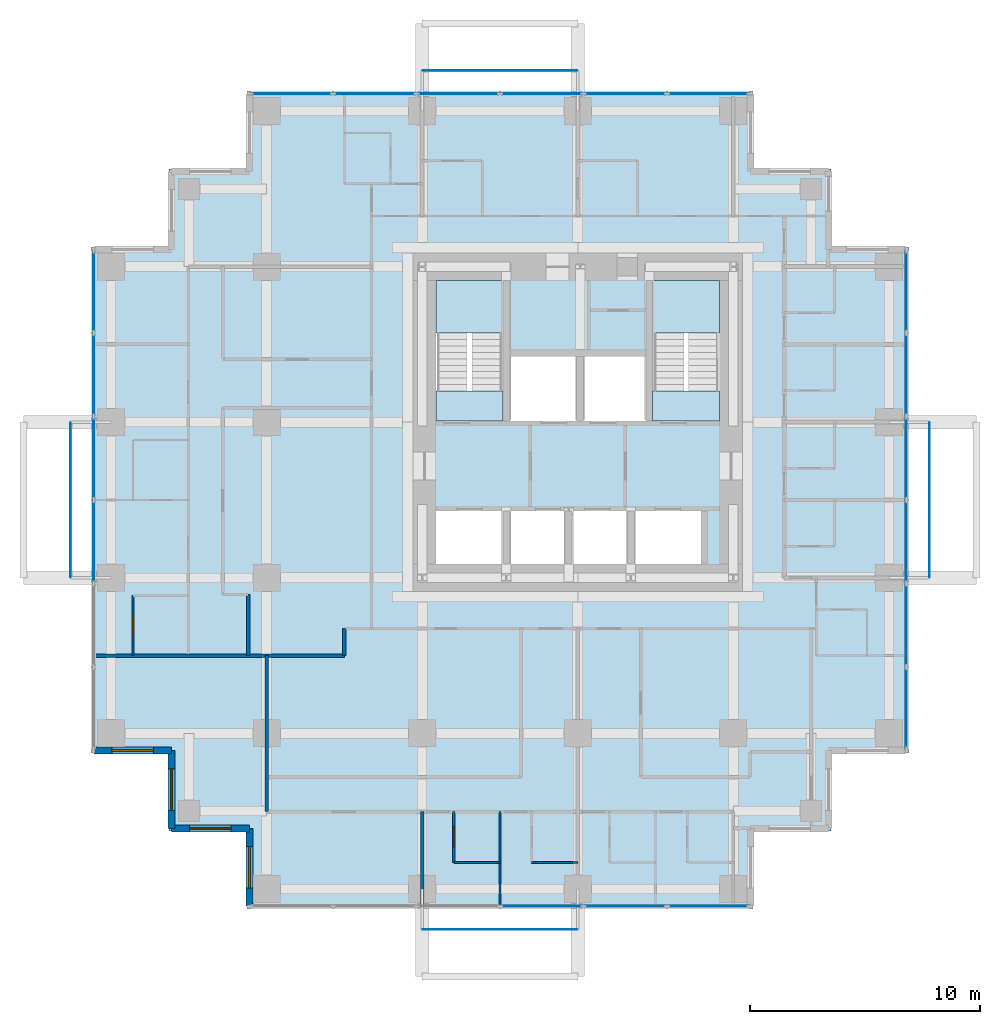
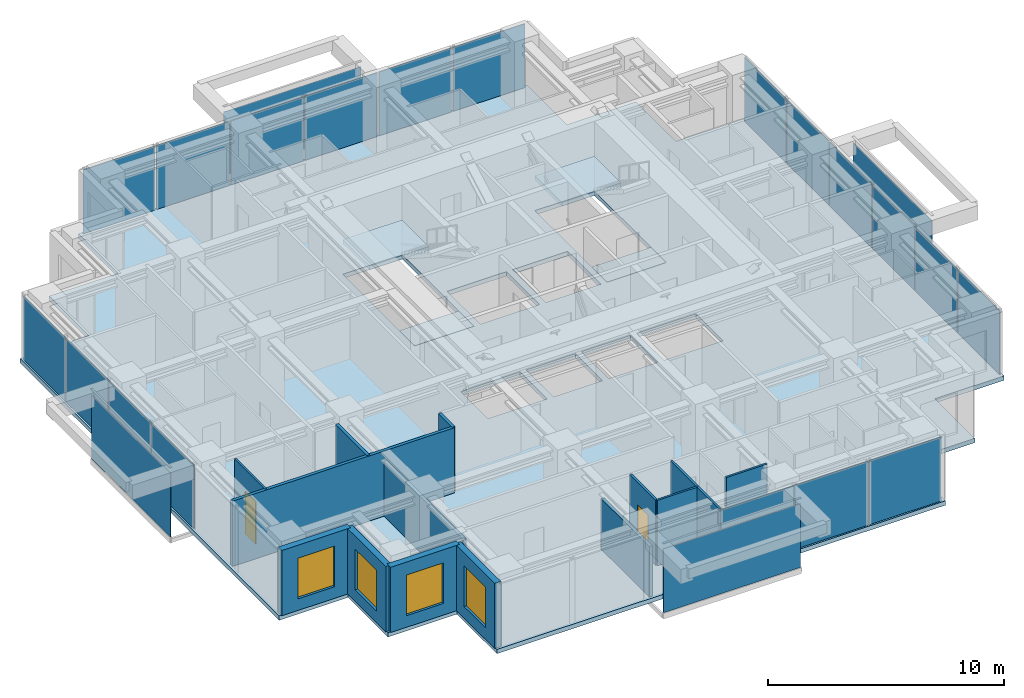
# One storey, part 5 of 10: 23 plates, 14 walls, 5 slabs, 4 windows, 2 doors, 6 openings, 6 elements without a shape of their own.
"""IFC4 building model written with IfcOpenShell, lengths in metres."""

from ifc_helpers import new_model, si_unit, direction, frame, frame_2d, origin, origin_2d, place, context, subcontext, project, spatial, polyline, rectangle, outline, extrude, material, layer, layer_set, type_object, element, fill, aggregate, save


model = new_model("IFC4")

# Units and contexts
model_context = context("Model", 3, precision=1e-05, world=origin(), true_north=direction((0.0, 1.0)))
body_context = subcontext(model_context, "Body", "Model", "MODEL_VIEW")
ifc_project = project(units=[si_unit("LENGTHUNIT", "METRE"), si_unit("AREAUNIT", "SQUARE_METRE"), si_unit("VOLUMEUNIT", "CUBIC_METRE"), si_unit("PLANEANGLEUNIT", "RADIAN"), si_unit("MASSUNIT", "GRAM", prefix="KILO")], contexts=[model_context])

# Site, building, storey
site_placement = place(None, origin())
site = spatial("IfcSite", under=ifc_project, at=site_placement, CompositionType="ELEMENT")
building_placement = place(site_placement, origin())
building = spatial("IfcBuilding", under=site, at=building_placement, Name="Nyansa Garden Tower", CompositionType="ELEMENT")
storey_placement = place(building_placement, frame((0.0, 0.0, 189.0)))
storey = spatial("IfcBuildingStorey", under=building, at=storey_placement, Name="L51", CompositionType="ELEMENT", Elevation=189.0)

# Curtain wall, plates
ifc_material_1 = material(Name="Black anodised aluminium, dark tinted double glazing", Category="aluminium")
curtain_wall_type = type_object("IfcCurtainWallType", Name="Inner skin curtain wall ISW-C", PredefinedType="USERDEFINED", material=ifc_material_1)
curtain_wall_1_placement = place(storey_placement, origin())
curtain_wall_1 = element("IfcCurtainWall", 1, at=curtain_wall_1_placement, inside=storey, type_object=curtain_wall_type, Name="Inner skin curtain wall L51 E", ObjectType="UNITISED CURTAIN WALL", PredefinedType="USERDEFINED")
ifc_material_2 = material(Name="Dark tinted laminated double glazing", Category="glass")
ifc_layer_1 = layer(ifc_material_2, 0.0400390625)
ifc_layer_set_1 = layer_set([ifc_layer_1], Name="Dark tinted vision panel VP-C")
plate_type_1 = type_object("IfcPlateType", Name="Dark tinted vision panel VP-C", PredefinedType="CURTAIN_PANEL", material=ifc_layer_set_1)
plate_1_placement = place(storey_placement, frame((34.5, 7.830078125, 0.0), z_axis=(0.0, 0.0, 1.0), x_axis=(0.0, 1.0, 0.0)))
plate_1 = element("IfcPlate", 2, at=plate_1_placement, type_object=plate_type_1, Name="ISW-C panel 1", PredefinedType="CURTAIN_PANEL", context=body_context, shape_type="SweptSolid", body=[
    extrude(rectangle(XDim=3.52001953125, YDim=0.0400390625, at=origin_2d()), origin(), (0.0, 0.0, 1.0), 3.304931640625),
])
plate_2_placement = place(storey_placement, frame((34.5, 11.4375, 0.0), z_axis=(0.0, 0.0, 1.0), x_axis=(0.0, 1.0, 0.0)))
plate_2 = element("IfcPlate", 3, at=plate_2_placement, type_object=plate_type_1, Name="ISW-C panel 2", PredefinedType="CURTAIN_PANEL", context=body_context, shape_type="SweptSolid", body=[
    extrude(rectangle(XDim=3.554931640625, YDim=0.0400390625, at=origin_2d()), origin(), (0.0, 0.0, 1.0), 3.304931640625),
])
plate_3_placement = place(storey_placement, frame((34.5, 15.0625, 0.0), z_axis=(0.0, 0.0, 1.0), x_axis=(0.0, 1.0, 0.0)))
plate_3 = element("IfcPlate", 4, at=plate_3_placement, type_object=plate_type_1, Name="ISW-C panel 3", PredefinedType="CURTAIN_PANEL", context=body_context, shape_type="SweptSolid", body=[
    extrude(rectangle(XDim=3.554931640625, YDim=0.0400390625, at=origin_2d()), origin(), (0.0, 0.0, 1.0), 3.304931640625),
])
plate_4_placement = place(storey_placement, frame((34.5, 18.6875, 0.0), z_axis=(0.0, 0.0, 1.0), x_axis=(0.0, 1.0, 0.0)))
plate_4 = element("IfcPlate", 5, at=plate_4_placement, type_object=plate_type_1, Name="ISW-C panel 4", PredefinedType="CURTAIN_PANEL", context=body_context, shape_type="SweptSolid", body=[
    extrude(rectangle(XDim=3.554931640625, YDim=0.0400390625, at=origin_2d()), origin(), (0.0, 0.0, 1.0), 3.304931640625),
])
plate_5_placement = place(storey_placement, frame((34.5, 22.3125, 0.0), z_axis=(0.0, 0.0, 1.0), x_axis=(0.0, 1.0, 0.0)))
plate_5 = element("IfcPlate", 6, at=plate_5_placement, type_object=plate_type_1, Name="ISW-C panel 5", PredefinedType="CURTAIN_PANEL", context=body_context, shape_type="SweptSolid", body=[
    extrude(rectangle(XDim=3.554931640625, YDim=0.0400390625, at=origin_2d()), origin(), (0.0, 0.0, 1.0), 3.304931640625),
])
plate_6_placement = place(storey_placement, frame((34.5, 25.919921875, 0.0), z_axis=(0.0, 0.0, 1.0), x_axis=(0.0, 1.0, 0.0)))
plate_6 = element("IfcPlate", 7, at=plate_6_placement, type_object=plate_type_1, Name="ISW-C panel 6", PredefinedType="CURTAIN_PANEL", context=body_context, shape_type="SweptSolid", body=[
    extrude(rectangle(XDim=3.52001953125, YDim=0.0400390625, at=origin_2d()), origin(), (0.0, 0.0, 1.0), 3.304931640625),
])
aggregate(curtain_wall_1, [plate_1, plate_2, plate_3, plate_4, plate_5, plate_6])

curtain_wall_2_placement = place(storey_placement, origin())
curtain_wall_2 = element("IfcCurtainWall", 8, at=curtain_wall_2_placement, inside=storey, type_object=curtain_wall_type, Name="Inner skin curtain wall L51 N", ObjectType="UNITISED CURTAIN WALL", PredefinedType="USERDEFINED")
plate_7_placement = place(storey_placement, frame((25.919921875, 34.5, 0.0), z_axis=(0.0, 0.0, 1.0), x_axis=(-1.0, 0.0, 0.0)))
plate_7 = element("IfcPlate", 9, at=plate_7_placement, type_object=plate_type_1, Name="ISW-C panel 1", PredefinedType="CURTAIN_PANEL", context=body_context, shape_type="SweptSolid", body=[
    extrude(rectangle(XDim=3.52001953125, YDim=0.0400390625, at=origin_2d()), origin(), (0.0, 0.0, 1.0), 3.304931640625),
])
plate_8_placement = place(storey_placement, frame((22.3125, 34.5, 0.0), z_axis=(0.0, 0.0, 1.0), x_axis=(-1.0, 0.0, 0.0)))
plate_8 = element("IfcPlate", 10, at=plate_8_placement, type_object=plate_type_1, Name="ISW-C panel 2", PredefinedType="CURTAIN_PANEL", context=body_context, shape_type="SweptSolid", body=[
    extrude(rectangle(XDim=3.554931640625, YDim=0.0400390625, at=origin_2d()), origin(), (0.0, 0.0, 1.0), 3.304931640625),
])
plate_9_placement = place(storey_placement, frame((18.6875, 34.5, 0.0), z_axis=(0.0, 0.0, 1.0), x_axis=(-1.0, 0.0, 0.0)))
plate_9 = element("IfcPlate", 11, at=plate_9_placement, type_object=plate_type_1, Name="ISW-C panel 3", PredefinedType="CURTAIN_PANEL", context=body_context, shape_type="SweptSolid", body=[
    extrude(rectangle(XDim=3.554931640625, YDim=0.0400390625, at=origin_2d()), origin(), (0.0, 0.0, 1.0), 3.304931640625),
])
plate_10_placement = place(storey_placement, frame((15.0625, 34.5, 0.0), z_axis=(0.0, 0.0, 1.0), x_axis=(-1.0, 0.0, 0.0)))
plate_10 = element("IfcPlate", 12, at=plate_10_placement, type_object=plate_type_1, Name="ISW-C panel 4", PredefinedType="CURTAIN_PANEL", context=body_context, shape_type="SweptSolid", body=[
    extrude(rectangle(XDim=3.554931640625, YDim=0.0400390625, at=origin_2d()), origin(), (0.0, 0.0, 1.0), 3.304931640625),
])
plate_11_placement = place(storey_placement, frame((11.4375, 34.5, 0.0), z_axis=(0.0, 0.0, 1.0), x_axis=(-1.0, 0.0, 0.0)))
plate_11 = element("IfcPlate", 13, at=plate_11_placement, type_object=plate_type_1, Name="ISW-C panel 5", PredefinedType="CURTAIN_PANEL", context=body_context, shape_type="SweptSolid", body=[
    extrude(rectangle(XDim=3.554931640625, YDim=0.0400390625, at=origin_2d()), origin(), (0.0, 0.0, 1.0), 3.304931640625),
])
plate_12_placement = place(storey_placement, frame((7.830078125, 34.5, 0.0), z_axis=(0.0, 0.0, 1.0), x_axis=(-1.0, 0.0, 0.0)))
plate_12 = element("IfcPlate", 14, at=plate_12_placement, type_object=plate_type_1, Name="ISW-C panel 6", PredefinedType="CURTAIN_PANEL", context=body_context, shape_type="SweptSolid", body=[
    extrude(rectangle(XDim=3.52001953125, YDim=0.0400390625, at=origin_2d()), origin(), (0.0, 0.0, 1.0), 3.304931640625),
])
aggregate(curtain_wall_2, [plate_7, plate_8, plate_9, plate_10, plate_11, plate_12])

curtain_wall_3_placement = place(storey_placement, origin())
curtain_wall_3 = element("IfcCurtainWall", 15, at=curtain_wall_3_placement, inside=storey, type_object=curtain_wall_type, Name="Inner skin curtain wall L51 W", ObjectType="UNITISED CURTAIN WALL", PredefinedType="USERDEFINED")
plate_13_placement = place(storey_placement, frame((-0.75, 25.919921875, 0.0), z_axis=(0.0, 0.0, 1.0), x_axis=(0.0, -1.0, 0.0)))
plate_13 = element("IfcPlate", 16, at=plate_13_placement, type_object=plate_type_1, Name="ISW-C panel 1", PredefinedType="CURTAIN_PANEL", context=body_context, shape_type="SweptSolid", body=[
    extrude(rectangle(XDim=3.52001953125, YDim=0.0400390625, at=origin_2d()), origin(), (0.0, 0.0, 1.0), 3.304931640625),
])
plate_14_placement = place(storey_placement, frame((-0.75, 22.3125, 0.0), z_axis=(0.0, 0.0, 1.0), x_axis=(0.0, -1.0, 0.0)))
plate_14 = element("IfcPlate", 17, at=plate_14_placement, type_object=plate_type_1, Name="ISW-C panel 2", PredefinedType="CURTAIN_PANEL", context=body_context, shape_type="SweptSolid", body=[
    extrude(rectangle(XDim=3.554931640625, YDim=0.0400390625, at=origin_2d()), origin(), (0.0, 0.0, 1.0), 3.304931640625),
])
plate_15_placement = place(storey_placement, frame((-0.75, 18.6875, 0.0), z_axis=(0.0, 0.0, 1.0), x_axis=(0.0, -1.0, 0.0)))
plate_15 = element("IfcPlate", 18, at=plate_15_placement, type_object=plate_type_1, Name="ISW-C panel 3", PredefinedType="CURTAIN_PANEL", context=body_context, shape_type="SweptSolid", body=[
    extrude(rectangle(XDim=3.554931640625, YDim=0.0400390625, at=origin_2d()), origin(), (0.0, 0.0, 1.0), 3.304931640625),
])
plate_16_placement = place(storey_placement, frame((-0.75, 15.0625, 0.0), z_axis=(0.0, 0.0, 1.0), x_axis=(0.0, -1.0, 0.0)))
plate_16 = element("IfcPlate", 19, at=plate_16_placement, type_object=plate_type_1, Name="ISW-C panel 4", PredefinedType="CURTAIN_PANEL", context=body_context, shape_type="SweptSolid", body=[
    extrude(rectangle(XDim=3.554931640625, YDim=0.0400390625, at=origin_2d()), origin(), (0.0, 0.0, 1.0), 3.304931640625),
])
aggregate(curtain_wall_3, [plate_13, plate_14, plate_15, plate_16])

curtain_wall_4_placement = place(storey_placement, origin())
curtain_wall_4 = element("IfcCurtainWall", 20, at=curtain_wall_4_placement, inside=storey, type_object=curtain_wall_type, Name="Inner skin curtain wall L51 S", ObjectType="UNITISED CURTAIN WALL", PredefinedType="USERDEFINED")
plate_17_placement = place(storey_placement, frame((18.6875, -0.75, 0.0), z_axis=(0.0, 0.0, 1.0), x_axis=(1.0, 0.0, 0.0)))
plate_17 = element("IfcPlate", 21, at=plate_17_placement, type_object=plate_type_1, Name="ISW-C panel 4", PredefinedType="CURTAIN_PANEL", context=body_context, shape_type="SweptSolid", body=[
    extrude(rectangle(XDim=3.554931640625, YDim=0.0400390625, at=origin_2d()), origin(), (0.0, 0.0, 1.0), 3.304931640625),
])
plate_18_placement = place(storey_placement, frame((22.3125, -0.75, 0.0), z_axis=(0.0, 0.0, 1.0), x_axis=(1.0, 0.0, 0.0)))
plate_18 = element("IfcPlate", 22, at=plate_18_placement, type_object=plate_type_1, Name="ISW-C panel 5", PredefinedType="CURTAIN_PANEL", context=body_context, shape_type="SweptSolid", body=[
    extrude(rectangle(XDim=3.554931640625, YDim=0.0400390625, at=origin_2d()), origin(), (0.0, 0.0, 1.0), 3.304931640625),
])
plate_19_placement = place(storey_placement, frame((25.919921875, -0.75, 0.0), z_axis=(0.0, 0.0, 1.0), x_axis=(1.0, 0.0, 0.0)))
plate_19 = element("IfcPlate", 23, at=plate_19_placement, type_object=plate_type_1, Name="ISW-C panel 6", PredefinedType="CURTAIN_PANEL", context=body_context, shape_type="SweptSolid", body=[
    extrude(rectangle(XDim=3.52001953125, YDim=0.0400390625, at=origin_2d()), origin(), (0.0, 0.0, 1.0), 3.304931640625),
])
aggregate(curtain_wall_4, [plate_17, plate_18, plate_19])

# Slab
ifc_material_3 = material(Name="Concrete C40/50", Category="concrete")
ifc_layer_2 = layer(ifc_material_3, 0.22509765625)
ifc_layer_set_2 = layer_set([ifc_layer_2], Name="Floor slab FS225")
slab_type_1 = type_object("IfcSlabType", Name="Floor slab FS225", PredefinedType="FLOOR", material=ifc_layer_set_2)
slab_1_placement = place(storey_placement, frame((0.0, 0.0, -0.22509765625)))
element("IfcSlab", 24, at=slab_1_placement, inside=storey, type_object=slab_type_1, Name="Floor slab L51", PredefinedType="FLOOR", context=body_context, shape_type="SweptSolid", body=[
    extrude(outline(polyline([(34.60009765625, 5.89990234375), (31.22509765625, 5.89990234375), (31.22509765625, 2.52490234375), (27.85009765625, 2.52490234375), (27.85009765625, -0.85009765625), (5.89990234375, -0.85009765625), (5.89990234375, 2.52490234375), (2.52490234375, 2.52490234375), (2.52490234375, 5.89990234375), (-0.85009765625, 5.89990234375), (-0.85009765625, 27.85009765625), (2.52490234375, 27.85009765625), (2.52490234375, 31.22509765625), (5.89990234375, 31.22509765625), (5.89990234375, 34.60009765625), (27.85009765625, 34.60009765625), (27.85009765625, 31.22509765625), (31.22509765625, 31.22509765625), (31.22509765625, 27.85009765625), (34.60009765625, 27.85009765625), (34.60009765625, 5.89990234375)]), holes=[polyline([(14.10009765625, 14.10009765625), (17.0, 14.10009765625), (17.0, 16.39990234375), (14.10009765625, 16.39990234375), (14.10009765625, 14.10009765625)]), polyline([(17.300048828125, 14.10009765625), (19.699951171875, 14.10009765625), (19.699951171875, 16.39990234375), (17.300048828125, 16.39990234375), (17.300048828125, 14.10009765625)]), polyline([(20.0, 14.10009765625), (22.39990234375, 14.10009765625), (22.39990234375, 16.39990234375), (20.0, 16.39990234375), (20.0, 14.10009765625)]), polyline([(22.699951171875, 14.10009765625), (25.60009765625, 14.10009765625), (25.60009765625, 16.39990234375), (22.699951171875, 16.39990234375), (22.699951171875, 14.10009765625)]), polyline([(17.300048828125, 20.300048828125), (20.199951171875, 20.300048828125), (20.199951171875, 23.10009765625), (17.300048828125, 23.10009765625), (17.300048828125, 20.300048828125)]), polyline([(20.5, 20.300048828125), (23.199951171875, 20.300048828125), (23.199951171875, 23.10009765625), (20.5, 23.10009765625), (20.5, 20.300048828125)]), polyline([(14.10009765625, 20.300048828125), (17.0, 20.300048828125), (17.0, 26.39990234375), (14.10009765625, 26.39990234375), (14.10009765625, 20.300048828125)]), polyline([(23.5, 20.300048828125), (26.39990234375, 20.300048828125), (26.39990234375, 26.39990234375), (23.5, 26.39990234375), (23.5, 20.300048828125)])]), origin(), (0.0, 0.0, 1.0), 0.22509765625),
])

# Plates
ifc_material_4 = material(Name="Dark tinted laminated glass", Category="glass")
ifc_layer_3 = layer(ifc_material_4, 0.02392578125)
ifc_layer_set_3 = layer_set([ifc_layer_3], Name="Outer skin glass panel OS1")
plate_type_2 = type_object("IfcPlateType", Name="Outer skin glass panel OS1", PredefinedType="USERDEFINED", material=ifc_layer_set_3)
for number, where, z_axis, x_axis, name in (
    (25, (35.5, 16.875, -0.22509765625), (0.0, 0.0, 1.0), (0.0, 1.0, 0.0), "Outer skin glass panel L51"),
    (26, (16.875, 35.5, -0.22509765625), (0.0, 0.0, 1.0), (1.0, 0.0, 0.0), "Outer skin glass panel L51"),
    (27, (-1.75, 16.875, -0.22509765625), (0.0, 0.0, 1.0), (0.0, 1.0, 0.0), "Outer skin glass panel L51"),
    (28, (16.875, -1.75, -0.22509765625), (0.0, 0.0, 1.0), (1.0, 0.0, 0.0), "Outer skin glass panel L51"),
):
    element("IfcPlate", number, at=place(storey_placement, frame(where, z_axis=z_axis, x_axis=x_axis)), inside=storey, type_object=plate_type_2, Name=name, ObjectType="OUTER SKIN GLASS", PredefinedType="USERDEFINED", context=body_context, shape_type="SweptSolid", body=[
        extrude(rectangle(XDim=6.7099609375, YDim=0.02392578125, at=origin_2d()), origin(), (0.0, 0.0, 1.0), 3.300048828125),
    ])

# Stair, slabs
ifc_material_5 = material(Name="Precast concrete C40/50", Category="concrete")
stair_type_1 = type_object("IfcStairType", Name="Stair S1 180x280", PredefinedType="HALF_TURN_STAIR", material=ifc_material_5)
stair_1_placement = place(storey_placement, origin())
stair_1 = element("IfcStair", 29, at=stair_1_placement, inside=storey, type_object=stair_type_1, Name="Stair S1 L51", PredefinedType="HALF_TURN_STAIR")
ifc_material_6 = material(Name="Concrete C40/50", Category="concrete")
ifc_layer_4 = layer(ifc_material_6, 0.199951171875)
ifc_layer_set_4 = layer_set([ifc_layer_4], Name="Stair landing SL200")
slab_type_2 = type_object("IfcSlabType", Name="Stair landing SL200", PredefinedType="LANDING", material=ifc_layer_set_4)
slab_2_placement = place(storey_placement, frame((0.0, 0.0, -0.199951171875)))
slab_2 = element("IfcSlab", 30, at=slab_2_placement, type_object=slab_type_2, Name="S1 landing 1", PredefinedType="LANDING", context=body_context, shape_type="SweptSolid", body=[
    extrude(outline(polyline([(14.10009765625, 20.300048828125), (17.0, 20.300048828125), (17.0, 21.60009765625), (14.10009765625, 21.60009765625), (14.10009765625, 20.300048828125)])), origin(), (0.0, 0.0, 1.0), 0.199951171875),
])
slab_3_placement = place(storey_placement, frame((0.0, 0.0, 1.60009765625)))
slab_3 = element("IfcSlab", 31, at=slab_3_placement, type_object=slab_type_2, Name="S1 landing 2", PredefinedType="LANDING", context=body_context, shape_type="SweptSolid", body=[
    extrude(outline(polyline([(14.10009765625, 24.1201171875), (17.0, 24.1201171875), (17.0, 26.39990234375), (14.10009765625, 26.39990234375), (14.10009765625, 24.1201171875)])), origin(), (0.0, 0.0, 1.0), 0.199951171875),
])
aggregate(stair_1, [slab_2, slab_3])

ifc_material_7 = material(Name="Precast concrete C40/50", Category="concrete")
stair_type_2 = type_object("IfcStairType", Name="Stair S2 180x280", PredefinedType="HALF_TURN_STAIR", material=ifc_material_7)
stair_2_placement = place(storey_placement, origin())
stair_2 = element("IfcStair", 32, at=stair_2_placement, inside=storey, type_object=stair_type_2, Name="Stair S2 L51", PredefinedType="HALF_TURN_STAIR")
slab_4_placement = place(storey_placement, frame((0.0, 0.0, -0.199951171875)))
slab_4 = element("IfcSlab", 33, at=slab_4_placement, type_object=slab_type_2, Name="S2 landing 1", PredefinedType="LANDING", context=body_context, shape_type="SweptSolid", body=[
    extrude(outline(polyline([(23.5, 20.300048828125), (26.39990234375, 20.300048828125), (26.39990234375, 21.60009765625), (23.5, 21.60009765625), (23.5, 20.300048828125)])), origin(), (0.0, 0.0, 1.0), 0.199951171875),
])
slab_5_placement = place(storey_placement, frame((0.0, 0.0, 1.60009765625)))
slab_5 = element("IfcSlab", 34, at=slab_5_placement, type_object=slab_type_2, Name="S2 landing 2", PredefinedType="LANDING", context=body_context, shape_type="SweptSolid", body=[
    extrude(outline(polyline([(23.5, 24.1201171875), (26.39990234375, 24.1201171875), (26.39990234375, 26.39990234375), (23.5, 26.39990234375), (23.5, 24.1201171875)])), origin(), (0.0, 0.0, 1.0), 0.199951171875),
])
aggregate(stair_2, [slab_4, slab_5])

# Walls
ifc_material_8 = material(Name="Blockwork, plastered both sides", Category="masonry")
ifc_layer_5 = layer(ifc_material_8, 0.14990234375)
ifc_layer_set_5 = layer_set([ifc_layer_5], Name="Partition PW150")
wall_type_1 = type_object("IfcWallType", Name="Partition PW150", PredefinedType="PARTITIONING", material=ifc_layer_set_5)
wall_1_placement = place(storey_placement, frame((-0.73388671875, 10.125, 0.0), z_axis=(0.0, 0.0, 1.0), x_axis=(1.0, 0.0, 0.0)))
element("IfcWall", 35, at=wall_1_placement, inside=storey, type_object=wall_type_1, Name="Partition", PredefinedType="PARTITIONING", context=body_context, shape_type="SweptSolid", body=[
    extrude(rectangle(XDim=10.85888671875, YDim=0.14990234375, at=frame_2d((5.429443359375, 0.0))), origin(), (0.0, 0.0, 1.0), 3.375),
])
wall_2_placement = place(storey_placement, frame((5.949951171875, 10.125, 0.0), z_axis=(0.0, 0.0, 1.0), x_axis=(0.0, 1.0, 0.0)))
element("IfcWall", 36, at=wall_2_placement, inside=storey, type_object=wall_type_1, Name="Partition", PredefinedType="PARTITIONING", context=body_context, shape_type="SweptSolid", body=[
    extrude(rectangle(XDim=2.64990234375, YDim=0.14990234375, at=frame_2d((1.324951171875, 0.0))), origin(), (0.0, 0.0, 1.0), 3.375),
])
wall_3_placement = place(storey_placement, frame((6.75, 3.35009765625, 0.0), z_axis=(0.0, 0.0, 1.0), x_axis=(0.0, 1.0, 0.0)))
element("IfcWall", 37, at=wall_3_placement, inside=storey, type_object=wall_type_1, Name="Partition", PredefinedType="PARTITIONING", context=body_context, shape_type="SweptSolid", body=[
    extrude(rectangle(XDim=6.77490234375, YDim=0.14990234375, at=frame_2d((3.387451171875, 0.0))), origin(), (0.0, 0.0, 1.0), 2.876953125),
])
wall_4_placement = place(storey_placement, frame((10.125, 10.125, 0.0), z_axis=(0.0, 0.0, 1.0), x_axis=(0.0, 1.0, 0.0)))
element("IfcWall", 38, at=wall_4_placement, inside=storey, type_object=wall_type_1, Name="Partition", PredefinedType="PARTITIONING", context=body_context, shape_type="SweptSolid", body=[
    extrude(rectangle(XDim=1.175048828125, YDim=0.14990234375, at=frame_2d((0.58740234375, 0.0))), origin(), (0.0, 0.0, 1.0), 3.375),
])
wall_5_placement = place(storey_placement, frame((13.5, -0.73388671875, 0.0), z_axis=(0.0, 0.0, 1.0), x_axis=(0.0, 1.0, 0.0)))
element("IfcWall", 39, at=wall_5_placement, inside=storey, type_object=wall_type_1, Name="Partition", PredefinedType="PARTITIONING", context=body_context, shape_type="SweptSolid", body=[
    extrude(rectangle(XDim=4.083984375, YDim=0.14990234375, at=frame_2d((2.0419921875, 0.0))), origin(), (0.0, 0.0, 1.0), 2.610107421875),
])

# Wall, opening, window
ifc_material_9 = material(Name="Turquoise glazed tile on concrete blockwork", Category="masonry")
ifc_layer_6 = layer(ifc_material_9, 0.300048828125)
ifc_layer_set_6 = layer_set([ifc_layer_6], Name="Tiled corner wall TW300")
wall_type_2 = type_object("IfcWallType", Name="Tiled corner wall TW300", PredefinedType="SOLIDWALL", material=ifc_layer_set_6)
wall_6_placement = place(storey_placement, frame((-0.75, 6.0, 0.0), z_axis=(0.0, 0.0, 1.0), x_axis=(1.0, 0.0, 0.0)))
wall_6 = element("IfcWall", 40, at=wall_6_placement, inside=storey, type_object=wall_type_2, Name="Tiled corner wall L51", PredefinedType="SOLIDWALL", context=body_context, shape_type="SweptSolid", body=[
    extrude(rectangle(XDim=3.375, YDim=0.300048828125, at=frame_2d((1.6875, 0.0))), origin(), (0.0, 0.0, 1.0), 3.375),
])
opening_1_placement = place(wall_6_placement, frame((0.78759765625, 0.0, 0.60009765625)))
opening_1 = element("IfcOpeningElement", 41, at=opening_1_placement, cuts=wall_6, Name="Opening W2", PredefinedType="OPENING", context=body_context, shape_type="SweptSolid", body=[
    extrude(rectangle(XDim=1.800048828125, YDim=2.10009765625, at=frame_2d((0.89990234375, 1.050048828125))), frame((0.0, 0.159912109375, 0.0), z_axis=(0.0, -1.0, 0.0), x_axis=(1.0, 0.0, 0.0)), (0.0, 0.0, 1.0), 0.320068359375),
])
ifc_material_10 = material(Name="Black aluminium frame, dark tinted double glazing", Category="aluminium")
window_type = type_object("IfcWindowType", Name="Window W2 1800x2100", PartitioningType="SINGLE_PANEL", PredefinedType="WINDOW", material=ifc_material_10)
window_1_placement = place(opening_1_placement, origin())
window_1 = element("IfcWindow", 42, at=window_1_placement, inside=storey, type_object=window_type, Name="Corner window L51", OverallHeight=2.10009765625, OverallWidth=1.800048828125, PartitioningType="SINGLE_PANEL", PredefinedType="WINDOW", context=body_context, shape_type="SweptSolid", body=[
    extrude(rectangle(XDim=1.800048828125, YDim=2.10009765625, at=frame_2d((0.89990234375, 1.050048828125))), frame((0.0, 0.030029296875, 0.0), z_axis=(0.0, -1.0, 0.0), x_axis=(1.0, 0.0, 0.0)), (0.0, 0.0, 1.0), 0.06005859375),
])
fill(opening_1, window_1)

wall_7_placement = place(storey_placement, frame((2.625, 6.0, 0.0), z_axis=(0.0, 0.0, 1.0), x_axis=(0.0, -1.0, 0.0)))
wall_7 = element("IfcWall", 43, at=wall_7_placement, inside=storey, type_object=wall_type_2, Name="Tiled corner wall L51", PredefinedType="SOLIDWALL", context=body_context, shape_type="SweptSolid", body=[
    extrude(rectangle(XDim=3.375, YDim=0.300048828125, at=frame_2d((1.6875, 0.0))), origin(), (0.0, 0.0, 1.0), 3.375),
])
opening_2_placement = place(wall_7_placement, frame((0.78759765625, 0.0, 0.60009765625)))
opening_2 = element("IfcOpeningElement", 44, at=opening_2_placement, cuts=wall_7, Name="Opening W2", PredefinedType="OPENING", context=body_context, shape_type="SweptSolid", body=[
    extrude(rectangle(XDim=1.800048828125, YDim=2.10009765625, at=frame_2d((0.89990234375, 1.050048828125))), frame((0.0, 0.159912109375, 0.0), z_axis=(0.0, -1.0, 0.0), x_axis=(1.0, 0.0, 0.0)), (0.0, 0.0, 1.0), 0.320068359375),
])
window_2_placement = place(opening_2_placement, origin())
window_2 = element("IfcWindow", 45, at=window_2_placement, inside=storey, type_object=window_type, Name="Corner window L51", OverallHeight=2.10009765625, OverallWidth=1.800048828125, PartitioningType="SINGLE_PANEL", PredefinedType="WINDOW", context=body_context, shape_type="SweptSolid", body=[
    extrude(rectangle(XDim=1.800048828125, YDim=2.10009765625, at=frame_2d((0.89990234375, 1.050048828125))), frame((0.0, 0.030029296875, 0.0), z_axis=(0.0, -1.0, 0.0), x_axis=(1.0, 0.0, 0.0)), (0.0, 0.0, 1.0), 0.06005859375),
])
fill(opening_2, window_2)

wall_8_placement = place(storey_placement, frame((2.625, 2.625, 0.0), z_axis=(0.0, 0.0, 1.0), x_axis=(1.0, 0.0, 0.0)))
wall_8 = element("IfcWall", 46, at=wall_8_placement, inside=storey, type_object=wall_type_2, Name="Tiled corner wall L51", PredefinedType="SOLIDWALL", context=body_context, shape_type="SweptSolid", body=[
    extrude(rectangle(XDim=3.375, YDim=0.300048828125, at=frame_2d((1.6875, 0.0))), origin(), (0.0, 0.0, 1.0), 3.375),
])
opening_3_placement = place(wall_8_placement, frame((0.78759765625, 0.0, 0.60009765625)))
opening_3 = element("IfcOpeningElement", 47, at=opening_3_placement, cuts=wall_8, Name="Opening W2", PredefinedType="OPENING", context=body_context, shape_type="SweptSolid", body=[
    extrude(rectangle(XDim=1.800048828125, YDim=2.10009765625, at=frame_2d((0.89990234375, 1.050048828125))), frame((0.0, 0.159912109375, 0.0), z_axis=(0.0, -1.0, 0.0), x_axis=(1.0, 0.0, 0.0)), (0.0, 0.0, 1.0), 0.320068359375),
])
window_3_placement = place(opening_3_placement, origin())
window_3 = element("IfcWindow", 48, at=window_3_placement, inside=storey, type_object=window_type, Name="Corner window L51", OverallHeight=2.10009765625, OverallWidth=1.800048828125, PartitioningType="SINGLE_PANEL", PredefinedType="WINDOW", context=body_context, shape_type="SweptSolid", body=[
    extrude(rectangle(XDim=1.800048828125, YDim=2.10009765625, at=frame_2d((0.89990234375, 1.050048828125))), frame((0.0, 0.030029296875, 0.0), z_axis=(0.0, -1.0, 0.0), x_axis=(1.0, 0.0, 0.0)), (0.0, 0.0, 1.0), 0.06005859375),
])
fill(opening_3, window_3)

wall_9_placement = place(storey_placement, frame((6.0, 2.625, 0.0), z_axis=(0.0, 0.0, 1.0), x_axis=(0.0, -1.0, 0.0)))
wall_9 = element("IfcWall", 49, at=wall_9_placement, inside=storey, type_object=wall_type_2, Name="Tiled corner wall L51", PredefinedType="SOLIDWALL", context=body_context, shape_type="SweptSolid", body=[
    extrude(rectangle(XDim=3.375, YDim=0.300048828125, at=frame_2d((1.6875, 0.0))), origin(), (0.0, 0.0, 1.0), 3.375),
])
opening_4_placement = place(wall_9_placement, frame((0.78759765625, 0.0, 0.60009765625)))
opening_4 = element("IfcOpeningElement", 50, at=opening_4_placement, cuts=wall_9, Name="Opening W2", PredefinedType="OPENING", context=body_context, shape_type="SweptSolid", body=[
    extrude(rectangle(XDim=1.800048828125, YDim=2.10009765625, at=frame_2d((0.89990234375, 1.050048828125))), frame((0.0, 0.159912109375, 0.0), z_axis=(0.0, -1.0, 0.0), x_axis=(1.0, 0.0, 0.0)), (0.0, 0.0, 1.0), 0.320068359375),
])
window_4_placement = place(opening_4_placement, origin())
window_4 = element("IfcWindow", 51, at=window_4_placement, inside=storey, type_object=window_type, Name="Corner window L51", OverallHeight=2.10009765625, OverallWidth=1.800048828125, PartitioningType="SINGLE_PANEL", PredefinedType="WINDOW", context=body_context, shape_type="SweptSolid", body=[
    extrude(rectangle(XDim=1.800048828125, YDim=2.10009765625, at=frame_2d((0.89990234375, 1.050048828125))), frame((0.0, 0.030029296875, 0.0), z_axis=(0.0, -1.0, 0.0), x_axis=(1.0, 0.0, 0.0)), (0.0, 0.0, 1.0), 0.06005859375),
])
fill(opening_4, window_4)

# Wall, opening, door
ifc_material_11 = material(Name="Moisture resistant board on steel studs, tiled", Category="steel")
ifc_layer_7 = layer(ifc_material_11, 0.10009765625)
ifc_layer_set_7 = layer_set([ifc_layer_7], Name="Wet wall PW100")
wall_type_3 = type_object("IfcWallType", Name="Wet wall PW100", PredefinedType="PARTITIONING", material=ifc_layer_set_7)
wall_10_placement = place(storey_placement, frame((0.949951171875, 10.125, 0.0), z_axis=(0.0, 0.0, 1.0), x_axis=(0.0, 1.0, 0.0)))
wall_10 = element("IfcWall", 52, at=wall_10_placement, inside=storey, type_object=wall_type_3, Name="Wet wall", PredefinedType="PARTITIONING", context=body_context, shape_type="SweptSolid", body=[
    extrude(rectangle(XDim=2.60009765625, YDim=0.10009765625, at=frame_2d((1.300048828125, 0.0))), origin(), (0.0, 0.0, 1.0), 3.375),
])
opening_5_placement = place(wall_10_placement, frame((0.85009765625, 0.0, 0.0)))
opening_5 = element("IfcOpeningElement", 53, at=opening_5_placement, cuts=wall_10, Name="Opening D02", PredefinedType="OPENING", context=body_context, shape_type="SweptSolid", body=[
    extrude(rectangle(XDim=0.89990234375, YDim=2.199951171875, at=frame_2d((0.449951171875, 1.10009765625))), frame((0.0, 0.06005859375, 0.0), z_axis=(0.0, -1.0, 0.0), x_axis=(1.0, 0.0, 0.0)), (0.0, 0.0, 1.0), 0.1201171875),
])
ifc_material_12 = material(Name="Timber flush door", Category="wood")
door_type = type_object("IfcDoorType", Name="En-suite door D02 900x2200", OperationType="SINGLE_SWING_RIGHT", PredefinedType="DOOR", material=ifc_material_12)
door_1_placement = place(opening_5_placement, origin())
door_1 = element("IfcDoor", 54, at=door_1_placement, inside=storey, type_object=door_type, Name="Door L51-052", OperationType="SINGLE_SWING_RIGHT", OverallHeight=2.199951171875, OverallWidth=0.89990234375, PredefinedType="DOOR", context=body_context, shape_type="SweptSolid", body=[
    extrude(rectangle(XDim=0.89990234375, YDim=2.199951171875, at=frame_2d((0.449951171875, 1.10009765625))), frame((0.0, 0.02490234375, 0.0), z_axis=(0.0, -1.0, 0.0), x_axis=(1.0, 0.0, 0.0)), (0.0, 0.0, 1.0), 0.050048828125),
])
fill(opening_5, door_1)

wall_11_placement = place(storey_placement, frame((14.875, 1.14990234375, 0.0), z_axis=(0.0, 0.0, 1.0), x_axis=(0.0, 1.0, 0.0)))
wall_11 = element("IfcWall", 55, at=wall_11_placement, inside=storey, type_object=wall_type_3, Name="Wet wall", PredefinedType="PARTITIONING", context=body_context, shape_type="SweptSolid", body=[
    extrude(rectangle(XDim=2.2001953125, YDim=0.10009765625, at=frame_2d((1.10009765625, 0.0))), origin(), (0.0, 0.0, 1.0), 3.375),
])
opening_6_placement = place(wall_11_placement, frame((0.64990234375, 0.0, 0.0)))
opening_6 = element("IfcOpeningElement", 56, at=opening_6_placement, cuts=wall_11, Name="Opening D02", PredefinedType="OPENING", context=body_context, shape_type="SweptSolid", body=[
    extrude(rectangle(XDim=0.89990234375, YDim=2.199951171875, at=frame_2d((0.449951171875, 1.10009765625))), frame((0.0, 0.06005859375, 0.0), z_axis=(0.0, -1.0, 0.0), x_axis=(1.0, 0.0, 0.0)), (0.0, 0.0, 1.0), 0.1201171875),
])
door_2_placement = place(opening_6_placement, origin())
door_2 = element("IfcDoor", 57, at=door_2_placement, inside=storey, type_object=door_type, Name="Door L51-019", OperationType="SINGLE_SWING_RIGHT", OverallHeight=2.199951171875, OverallWidth=0.89990234375, PredefinedType="DOOR", context=body_context, shape_type="SweptSolid", body=[
    extrude(rectangle(XDim=0.89990234375, YDim=2.199951171875, at=frame_2d((0.449951171875, 1.10009765625))), frame((0.0, 0.02490234375, 0.0), z_axis=(0.0, -1.0, 0.0), x_axis=(1.0, 0.0, 0.0)), (0.0, 0.0, 1.0), 0.050048828125),
])
fill(opening_6, door_2)

# Walls
wall_12_placement = place(storey_placement, frame((14.875, 1.14990234375, 0.0), z_axis=(0.0, 0.0, 1.0), x_axis=(1.0, 0.0, 0.0)))
element("IfcWall", 58, at=wall_12_placement, inside=storey, type_object=wall_type_3, Name="Wet wall", PredefinedType="PARTITIONING", context=body_context, shape_type="SweptSolid", body=[
    extrude(rectangle(XDim=2.0, YDim=0.10009765625, at=frame_2d((1.0, 0.0))), origin(), (0.0, 0.0, 1.0), 3.375),
])
wall_13_placement = place(storey_placement, frame((16.875, -0.73388671875, 0.0), z_axis=(0.0, 0.0, 1.0), x_axis=(0.0, 1.0, 0.0)))
element("IfcWall", 59, at=wall_13_placement, inside=storey, type_object=wall_type_3, Name="Wet wall", PredefinedType="PARTITIONING", context=body_context, shape_type="SweptSolid", body=[
    extrude(rectangle(XDim=4.083984375, YDim=0.10009765625, at=frame_2d((2.0419921875, 0.0))), origin(), (0.0, 0.0, 1.0), 3.375),
])
wall_14_placement = place(storey_placement, frame((18.25, 1.14990234375, 0.0), z_axis=(0.0, 0.0, 1.0), x_axis=(1.0, 0.0, 0.0)))
element("IfcWall", 60, at=wall_14_placement, inside=storey, type_object=wall_type_3, Name="Wet wall", PredefinedType="PARTITIONING", context=body_context, shape_type="SweptSolid", body=[
    extrude(rectangle(XDim=2.0, YDim=0.10009765625, at=frame_2d((1.0, 0.0))), origin(), (0.0, 0.0, 1.0), 3.375),
])

save(model, "model.ifc")
